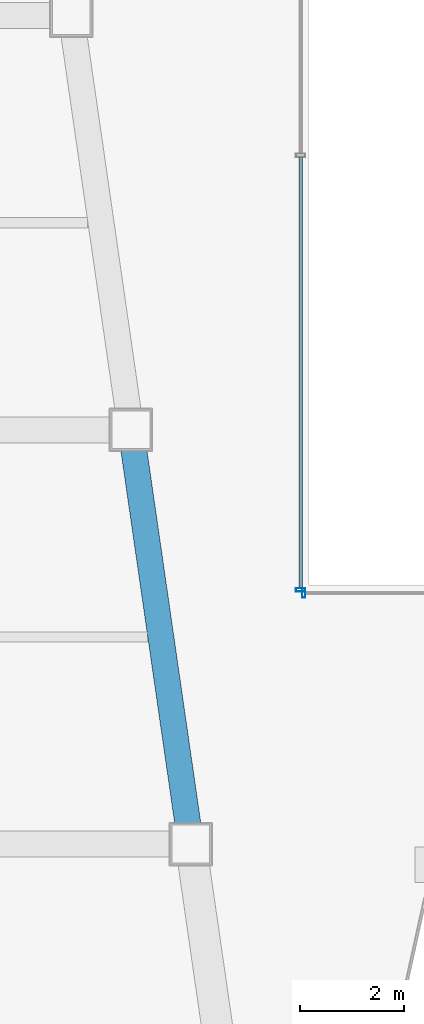
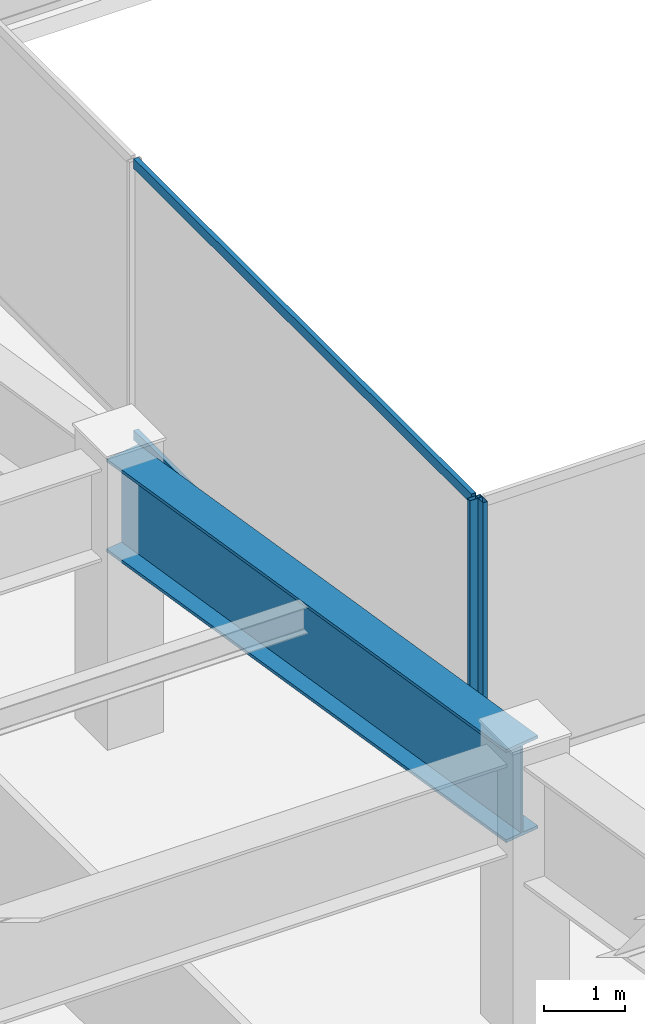
# One storey, part 12 of 40: 4 members, 1 beam, 2 elements without a shape of their own.
"""IFC4 building model written with IfcOpenShell, lengths in metres."""

from ifc_helpers import new_model, si_unit, direction, frame, origin, origin_2d, place, context, subcontext, project, spatial, hollow_rectangle, i_section, extrude, material, material_profile, profile_set, type_object, element, aggregate, save


model = new_model("IFC4")

# Units and contexts
model_context = context("Model", 3, precision=1e-05, world=origin(), true_north=direction((0.0, 1.0)))
body_context = subcontext(model_context, "Body", "Model", "MODEL_VIEW")
ifc_project = project(units=[si_unit("LENGTHUNIT", "METRE"), si_unit("AREAUNIT", "SQUARE_METRE"), si_unit("VOLUMEUNIT", "CUBIC_METRE"), si_unit("PLANEANGLEUNIT", "RADIAN"), si_unit("MASSUNIT", "GRAM", prefix="KILO")], contexts=[model_context])

# Site, building, storey
site_placement = place(None, origin())
site = spatial("IfcSite", under=ifc_project, at=site_placement, CompositionType="ELEMENT")
building_placement = place(site_placement, origin())
building = spatial("IfcBuilding", under=site, at=building_placement, Name="Saevonmaru Cultural Tower", CompositionType="ELEMENT")
storey_placement = place(building_placement, frame((0.0, 0.0, 97.199951171875)))
storey = spatial("IfcBuildingStorey", under=building, at=storey_placement, Name="L20", CompositionType="ELEMENT", Elevation=97.199951171875)

# Beam
ifc_material_1 = material(Name="Steel HSA600 (600 MPa)", Category="steel")
ifc_material_profile_1 = material_profile(ifc_material_1, i_section(OverallWidth=0.5, OverallDepth=1.39990234375, WebThickness=0.02392578125, FlangeThickness=0.044921875, at=origin_2d()), Name="PG-1400x500x24x45")
ifc_profile_set_1 = profile_set([ifc_material_profile_1], Name="Steel HSA600 (600 MPa)")
beam_type = type_object("IfcBeamType", Name="BM-TG-PG1400", PredefinedType="BEAM", material=ifc_profile_set_1)
beam_placement = place(storey_placement, frame((21.91943359375, 16.059326171875, 3.449951171875), z_axis=(-0.143022161059, 0.989719486241, 0.0), x_axis=(-0.989719486241, -0.143022161059, 0.0)))
element("IfcBeam", 1, at=beam_placement, inside=storey, type_object=beam_type, Name="L20 West Atrium Girder 3", PredefinedType="BEAM", context=body_context, shape_type="SweptSolid", body=[
    extrude(i_section(OverallWidth=0.5, OverallDepth=1.39990234375, WebThickness=0.02392578125, FlangeThickness=0.044921875, at=origin_2d()), origin(), (0.0, 0.0, 1.0), 7.963134765625),
])

# Curtain wall, member
ifc_material_2 = material(Name="Satin Bronze Anodised Aluminium", Category="aluminium")
curtain_wall_type = type_object("IfcCurtainWallType", Name="CW-ATR-GLZ", PredefinedType="NOTDEFINED", material=ifc_material_2)
curtain_wall_1_placement = place(storey_placement, origin())
curtain_wall_1 = element("IfcCurtainWall", 2, at=curtain_wall_1_placement, inside=storey, type_object=curtain_wall_type, Name="L20 Vertical Atrium Glazed Smoke Screen 1", PredefinedType="NOTDEFINED")
ifc_material_profile_2 = material_profile(ifc_material_2, hollow_rectangle(XDim=0.06494140625, YDim=0.179931640625, WallThickness=0.00390625, at=origin_2d()), Name="ALU-MULL-180x65x4")
ifc_profile_set_2 = profile_set([ifc_material_profile_2], Name="Satin Bronze Anodised Aluminium")
member_type_1 = type_object("IfcMemberType", Name="ML-CW-INT-180x65", PredefinedType="MULLION", material=ifc_profile_set_2)
member_1_placement = place(storey_placement, frame((24.110107421875, 20.85009765625, 0.0), z_axis=(0.0, 0.0, 1.0), x_axis=(1.0, 0.0, 0.0)))
member_1 = element("IfcMember", 3, at=member_1_placement, type_object=member_type_1, Name="CW-ATR-L20-1 mullion 1", PredefinedType="MULLION", context=body_context, shape_type="SweptSolid", body=[
    extrude(hollow_rectangle(XDim=0.06494140625, YDim=0.179931640625, WallThickness=0.00390625, at=origin_2d()), origin(), (0.0, 0.0, 1.0), 4.150146484375),
])
aggregate(curtain_wall_1, [member_1])

# Curtain wall, members
curtain_wall_2_placement = place(storey_placement, origin())
curtain_wall_2 = element("IfcCurtainWall", 4, at=curtain_wall_2_placement, inside=storey, type_object=curtain_wall_type, Name="L20 Vertical Atrium Glazed Smoke Screen 4", PredefinedType="NOTDEFINED")
member_2_placement = place(storey_placement, frame((24.050048828125, 20.909912109375, 0.0), z_axis=(0.0, 0.0, 1.0), x_axis=(0.0, -1.0, 0.0)))
member_2 = element("IfcMember", 5, at=member_2_placement, type_object=member_type_1, Name="CW-ATR-L20-4 mullion 3", PredefinedType="MULLION", context=body_context, shape_type="SweptSolid", body=[
    extrude(hollow_rectangle(XDim=0.06494140625, YDim=0.179931640625, WallThickness=0.00390625, at=origin_2d()), origin(), (0.0, 0.0, 1.0), 4.150146484375),
])
ifc_material_profile_3 = material_profile(ifc_material_2, hollow_rectangle(XDim=0.06494140625, YDim=0.14990234375, WallThickness=0.00390625, at=origin_2d()), Name="ALU-TRAN-150x65x4")
ifc_profile_set_3 = profile_set([ifc_material_profile_3], Name="Satin Bronze Anodised Aluminium")
member_type_2 = type_object("IfcMemberType", Name="TR-CW-INT-150x65", PredefinedType="USERDEFINED", material=ifc_profile_set_3)
member_3_placement = place(storey_placement, frame((24.050048828125, 29.267578125, 0.032470703125), z_axis=(0.0, -1.0, 0.0), x_axis=(1.0, 0.0, 0.0)))
member_3 = element("IfcMember", 6, at=member_3_placement, type_object=member_type_2, Name="CW-ATR-L20-4 transom 2.1", ObjectType="TRANSOM", PredefinedType="USERDEFINED", context=body_context, shape_type="SweptSolid", body=[
    extrude(hollow_rectangle(XDim=0.06494140625, YDim=0.14990234375, WallThickness=0.00390625, at=origin_2d()), origin(), (0.0, 0.0, 1.0), 8.3251953125),
])
member_4_placement = place(storey_placement, frame((24.050048828125, 29.267578125, 4.117431640625), z_axis=(0.0, -1.0, 0.0), x_axis=(1.0, 0.0, 0.0)))
member_4 = element("IfcMember", 7, at=member_4_placement, type_object=member_type_2, Name="CW-ATR-L20-4 transom 2.2", ObjectType="TRANSOM", PredefinedType="USERDEFINED", context=body_context, shape_type="SweptSolid", body=[
    extrude(hollow_rectangle(XDim=0.06494140625, YDim=0.14990234375, WallThickness=0.00390625, at=origin_2d()), origin(), (0.0, 0.0, 1.0), 8.3251953125),
])
aggregate(curtain_wall_2, [member_2, member_3, member_4])

save(model, "model.ifc")
